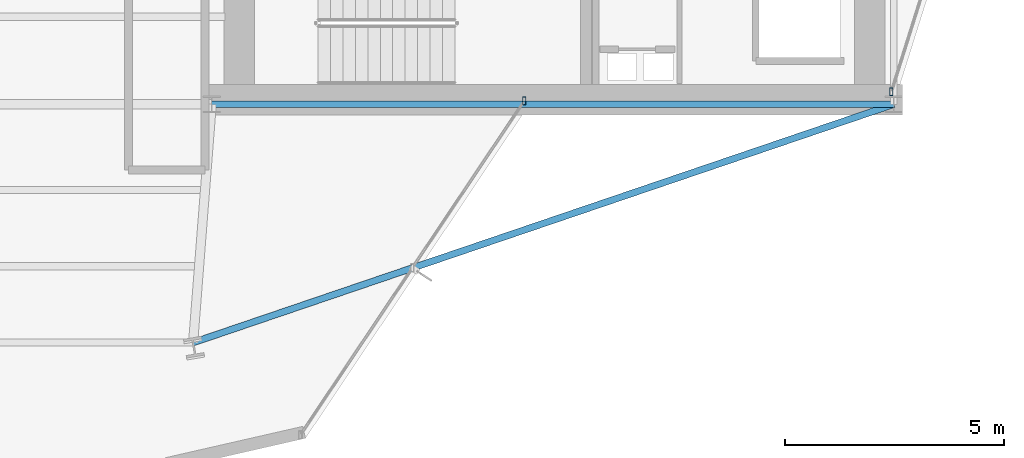
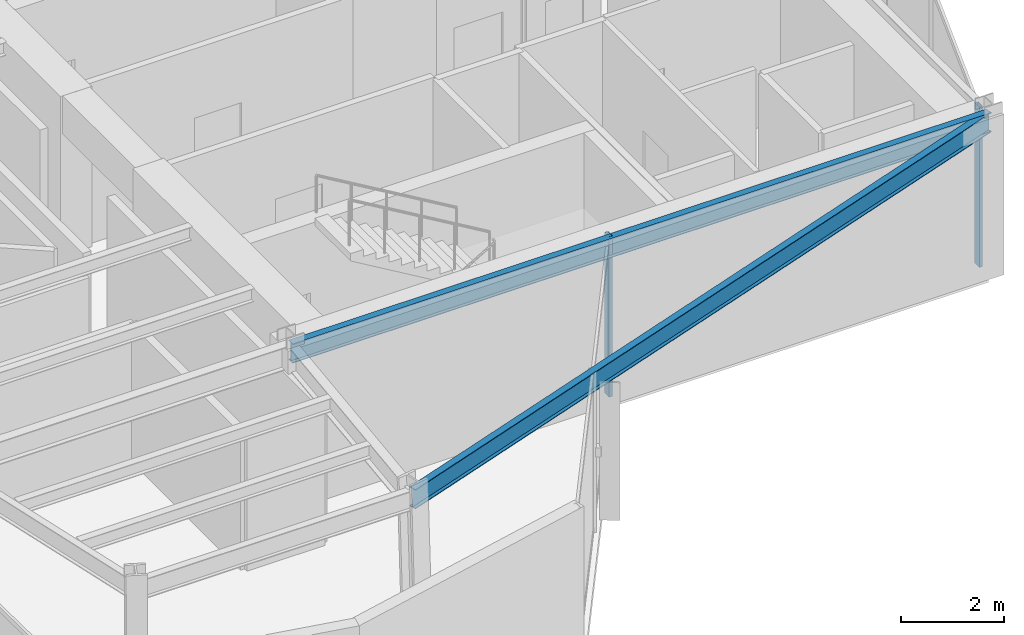
# One storey, part 14 of 21: 2 beams, 2 members, 2 elements without a shape of their own.
"""IFC4 building model written with IfcOpenShell, lengths in metres."""

from ifc_helpers import new_model, si_unit, direction, frame, origin, origin_2d, place, context, subcontext, project, spatial, hollow_rectangle, i_section, extrude, material, layer, layer_set, material_profile, profile_set, type_object, element, aggregate, save


model = new_model("IFC4")

# Units and contexts
model_context = context("Model", 3, precision=1e-05, world=origin(), true_north=direction((0.0, 1.0)))
body_context = subcontext(model_context, "Body", "Model", "MODEL_VIEW")
ifc_project = project(units=[si_unit("LENGTHUNIT", "METRE"), si_unit("AREAUNIT", "SQUARE_METRE"), si_unit("VOLUMEUNIT", "CUBIC_METRE"), si_unit("PLANEANGLEUNIT", "RADIAN"), si_unit("MASSUNIT", "GRAM", prefix="KILO")], contexts=[model_context])

# Site, building, storey
site_placement = place(None, origin())
site = spatial("IfcSite", under=ifc_project, at=site_placement, CompositionType="ELEMENT")
building_placement = place(site_placement, origin())
building = spatial("IfcBuilding", under=site, at=building_placement, Name="Veymaron Broadcast Tower", CompositionType="ELEMENT")
storey_placement = place(building_placement, frame((0.0, 0.0, 212.10009765625)))
storey = spatial("IfcBuildingStorey", under=building, at=storey_placement, Name="L49", CompositionType="ELEMENT", Elevation=212.10009765625)

# Beams
ifc_material_1 = material(Name="Structural steel ASTM A992 Gr 50", Category="steel")
ifc_material_profile_1 = material_profile(ifc_material_1, i_section(OverallWidth=0.154052734375, OverallDepth=0.458984375, WebThickness=0.009033203125, FlangeThickness=0.015380859375, at=origin_2d()), Name="W460X68")
ifc_profile_set_1 = profile_set([ifc_material_profile_1], Name="Structural steel ASTM A992 Gr 50")
beam_type = type_object("IfcBeamType", Name="BM-SP2", PredefinedType="SPANDREL", material=ifc_profile_set_1)
beam_1_placement = place(storey_placement, frame((39.0, 16.0, 3.560302734375), z_axis=(1.0, 0.0, 0.0), x_axis=(0.0, 1.0, 0.0)))
element("IfcBeam", 1, at=beam_1_placement, inside=storey, type_object=beam_type, Name="L49 primary structural floor girder", PredefinedType="SPANDREL", context=body_context, shape_type="SweptSolid", body=[
    extrude(i_section(OverallWidth=0.154052734375, OverallDepth=0.458984375, WebThickness=0.009033203125, FlangeThickness=0.015380859375, at=origin_2d()), origin(), (0.0, 0.0, 1.0), 15.60009765625),
])
beam_2_placement = place(storey_placement, frame((54.60009765625, 16.0, 3.560302734375), z_axis=(-0.946747509746, -0.3219769445, 0.0), x_axis=(0.3219769445, -0.946747509746, 0.0)))
element("IfcBeam", 2, at=beam_2_placement, inside=storey, type_object=beam_type, Name="L49 primary structural floor girder", PredefinedType="SPANDREL", context=body_context, shape_type="SweptSolid", body=[
    extrude(i_section(OverallWidth=0.154052734375, OverallDepth=0.458984375, WebThickness=0.009033203125, FlangeThickness=0.015380859375, at=origin_2d()), origin(), (0.0, 0.0, 1.0), 16.926513671875),
])

# Curtain wall, member
ifc_material_2 = material(Name="Anodised aluminium AA 6063-T6 and laminated low-E dark glass", Category="aluminium")
ifc_layer = layer(ifc_material_2, 0.179931640625)
ifc_layer_set = layer_set([ifc_layer], Name="Anodised aluminium AA 6063-T6 and laminated low-E dark glass")
curtain_wall_type = type_object("IfcCurtainWallType", Name="CW-SYS-05", PredefinedType="NOTDEFINED", material=ifc_layer_set)
curtain_wall_1_placement = place(storey_placement, origin())
curtain_wall_1 = element("IfcCurtainWall", 3, at=curtain_wall_1_placement, inside=storey, type_object=curtain_wall_type, Name="L49 dark-glass curtain wall CW-L49-E2-1", PredefinedType="NOTDEFINED")
ifc_material_3 = material(Name="Anodised aluminium AA 6063-T6", Category="aluminium")
ifc_material_profile_2 = material_profile(ifc_material_3, hollow_rectangle(XDim=0.074951171875, YDim=0.179931640625, WallThickness=0.0048828125, at=origin_2d()), Name="AL180X75X5")
ifc_profile_set_2 = profile_set([ifc_material_profile_2], Name="Anodised aluminium AA 6063-T6")
member_type = type_object("IfcMemberType", Name="CW-MUL-02", PredefinedType="MULLION", material=ifc_profile_set_2)
member_1_placement = place(storey_placement, frame((54.54345703125, 16.286376953125, 0.0), z_axis=(0.0, 0.0, 1.0), x_axis=(1.0, 0.0, 0.0)))
member_1 = element("IfcMember", 4, at=member_1_placement, type_object=member_type, Name="CW-L49-E2-1 mullion 0", PredefinedType="MULLION", context=body_context, shape_type="SweptSolid", body=[
    extrude(hollow_rectangle(XDim=0.074951171875, YDim=0.179931640625, WallThickness=0.0048828125, at=origin_2d()), origin(), (0.0, 0.0, 1.0), 3.789794921875),
])
aggregate(curtain_wall_1, [member_1])

curtain_wall_2_placement = place(storey_placement, origin())
curtain_wall_2 = element("IfcCurtainWall", 5, at=curtain_wall_2_placement, inside=storey, type_object=curtain_wall_type, Name="L49 dark-glass curtain wall CW-L49-E20-1", PredefinedType="NOTDEFINED")
member_2_placement = place(storey_placement, frame((46.147705078125, 16.077880859375, 0.0), z_axis=(0.0, 0.0, 1.0), x_axis=(1.0, 0.0, 0.0)))
member_2 = element("IfcMember", 6, at=member_2_placement, type_object=member_type, Name="CW-L49-E20-1 mullion 2", PredefinedType="MULLION", context=body_context, shape_type="SweptSolid", body=[
    extrude(hollow_rectangle(XDim=0.074951171875, YDim=0.179931640625, WallThickness=0.0048828125, at=origin_2d()), origin(), (0.0, 0.0, 1.0), 3.789794921875),
])
aggregate(curtain_wall_2, [member_2])

save(model, "model.ifc")
